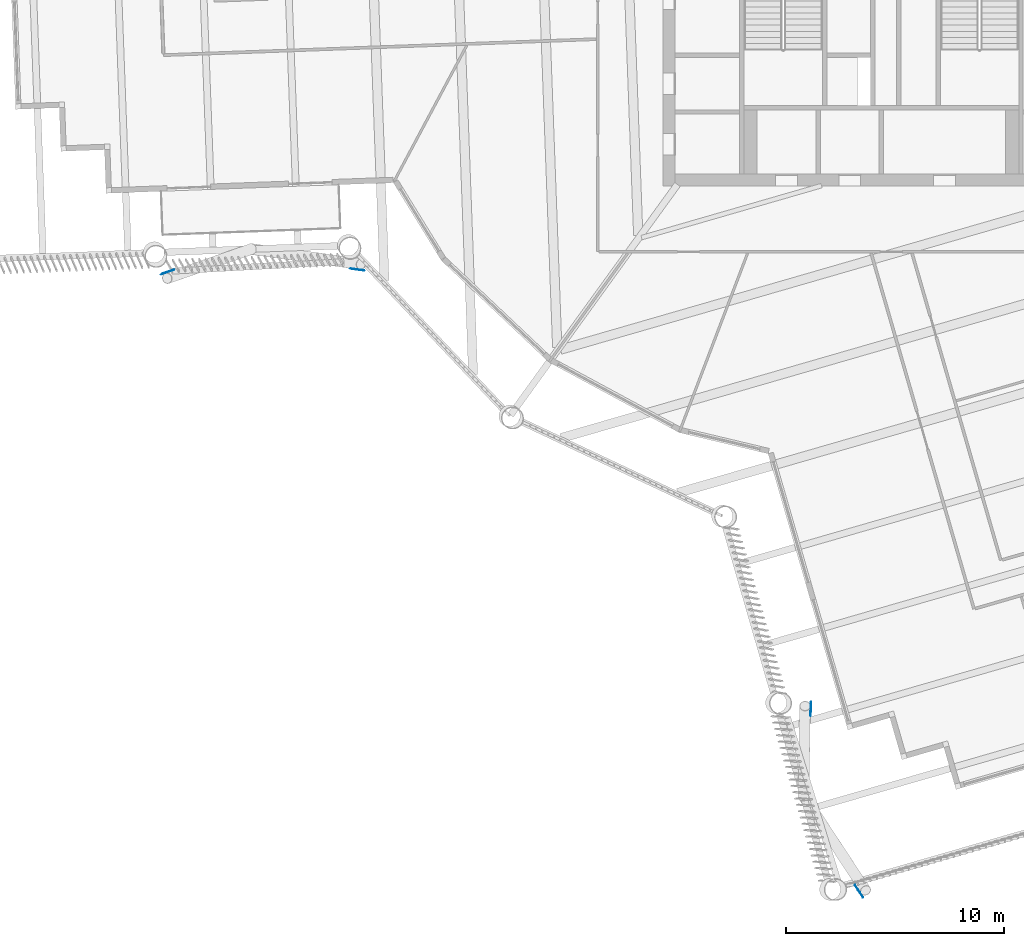
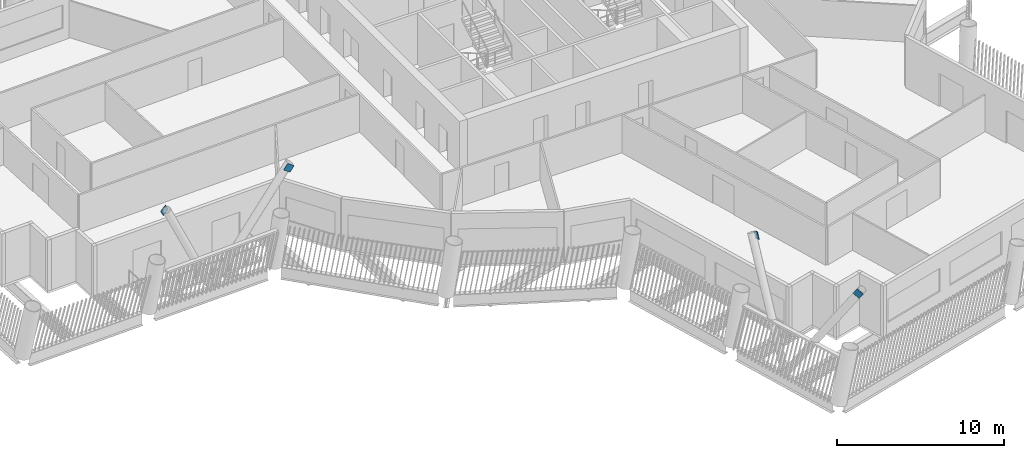
# One storey, part 9 of 20: 4 discrete accessories.
"""IFC4 building model written with IfcOpenShell, lengths in metres."""

from ifc_helpers import new_model, si_unit, direction, frame, origin, origin_2d, place, context, subcontext, project, spatial, rectangle, extrude, material, material_profile, profile_set, type_object, element, save


model = new_model("IFC4")

# Units and contexts
model_context = context("Model", 3, precision=1e-05, world=origin(), true_north=direction((0.0, 1.0)))
body_context = subcontext(model_context, "Body", "Model", "MODEL_VIEW")
ifc_project = project(units=[si_unit("LENGTHUNIT", "METRE"), si_unit("AREAUNIT", "SQUARE_METRE"), si_unit("VOLUMEUNIT", "CUBIC_METRE"), si_unit("PLANEANGLEUNIT", "RADIAN"), si_unit("MASSUNIT", "GRAM", prefix="KILO")], contexts=[model_context])

# Site, building, storey
site_placement = place(None, origin())
site = spatial("IfcSite", under=ifc_project, at=site_placement, CompositionType="ELEMENT")
building_placement = place(site_placement, origin())
building = spatial("IfcBuilding", under=site, at=building_placement, Name="Tarsis Ring Headquarters", CompositionType="ELEMENT")
storey_placement = place(building_placement, frame((0.0, 0.0, 294.199951171875)))
storey = spatial("IfcBuildingStorey", under=building, at=storey_placement, Name="L69", CompositionType="ELEMENT", Elevation=294.199951171875)

# Discrete accessories
ifc_material = material(Name="Structural steel S355", Category="steel")
ifc_material_profile = material_profile(ifc_material, rectangle(XDim=0.02490234375, YDim=0.5, at=origin_2d()), Name="PL 25x500")
ifc_profile_set = profile_set([ifc_material_profile], Name="Structural steel S355")
discrete_accessory_type = type_object("IfcDiscreteAccessoryType", Name="Gusset plate Exo brace 25", PredefinedType="BRACKET", material=ifc_profile_set)
for number, where, z_axis, x_axis, name in (
    (1, (-0.946044921875, -45.42724609375, 7.800048828125), (-0.303717273602, 0.462411990516, -0.833025190941), (-0.835832766609, -0.548984140265, 0.0), "Gusset plate GP5"),
    (2, (-3.2314453125, -36.82666015625, 7.800048828125), (-0.008300930673, -0.467781857931, -0.883804971665), (0.999842589291, -0.017742509413, 0.0), "Gusset plate GP5"),
    (3, (-23.892578125, -16.838134765625, 7.800048828125), (-0.540011382229, 0.074703202062, -0.838335934256), (-0.137031379895, -0.990566706953, 0.0), "Gusset plate GP5"),
    (4, (-32.822265625, -16.96826171875, 7.800048828125), (0.437890468228, 0.152309728079, -0.88603255277), (-0.328520624941, 0.944496796706, 0.0), "Gusset plate GP5"),
):
    element("IfcDiscreteAccessory", number, at=place(storey_placement, frame(where, z_axis=z_axis, x_axis=x_axis)), inside=storey, type_object=discrete_accessory_type, Name=name, PredefinedType="BRACKET", context=body_context, shape_type="SweptSolid", body=[
        extrude(rectangle(XDim=0.02490234375, YDim=0.5, at=origin_2d()), origin(), (0.0, 0.0, 1.0), 0.5),
    ])

save(model, "model.ifc")
